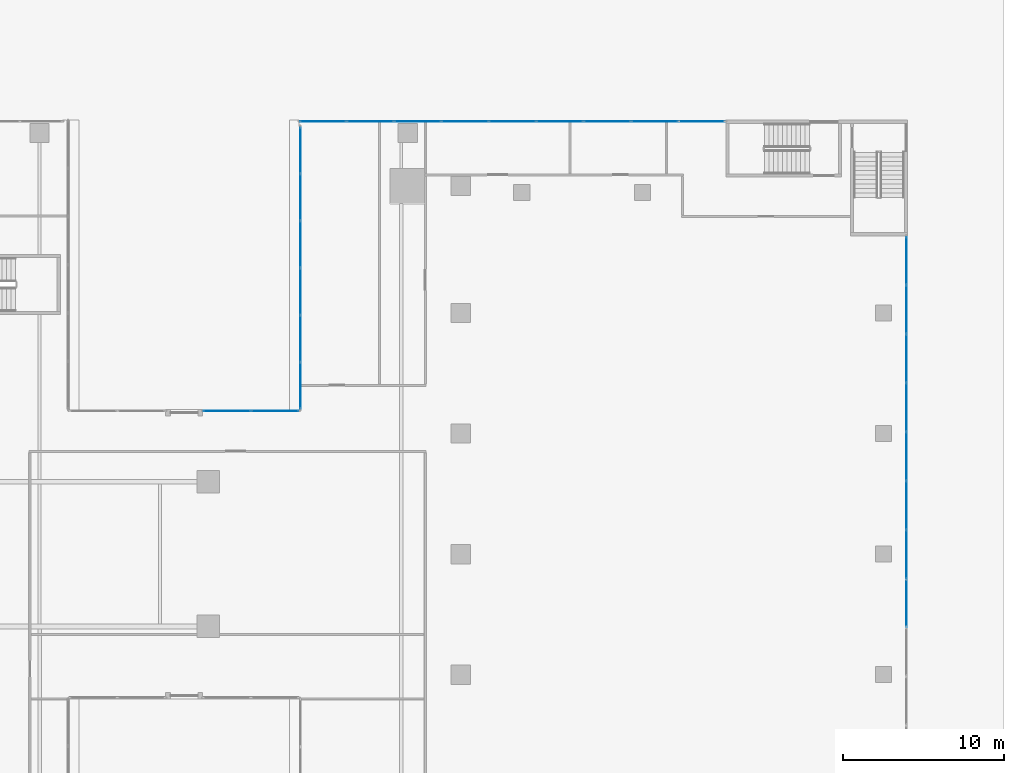
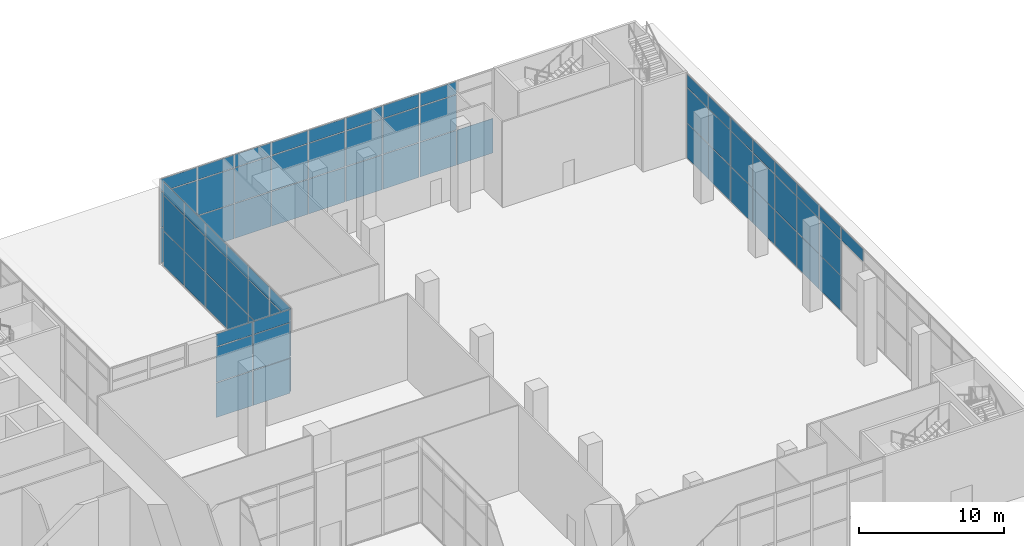
# One storey, part 35 of 52: 71 plates, 4 elements without a shape of their own.
"""IFC4 building model written with IfcOpenShell, lengths in metres."""

from ifc_helpers import new_model, si_unit, direction, frame, origin, origin_2d, place, context, subcontext, project, spatial, rectangle, extrude, source, transform, mapped, material, layer, layer_set, type_object, element, aggregate, save


model = new_model("IFC4")

# Units and contexts
model_context = context("Model", 3, precision=1e-05, world=origin(), true_north=direction((0.0, 1.0)))
body_context = subcontext(model_context, "Body", "Model", "MODEL_VIEW")
ifc_project = project(units=[si_unit("LENGTHUNIT", "METRE"), si_unit("AREAUNIT", "SQUARE_METRE"), si_unit("VOLUMEUNIT", "CUBIC_METRE"), si_unit("PLANEANGLEUNIT", "RADIAN"), si_unit("MASSUNIT", "GRAM", prefix="KILO")], contexts=[model_context])

# Site, building, storey
site_placement = place(None, origin())
site = spatial("IfcSite", under=ifc_project, at=site_placement, CompositionType="ELEMENT")
building_placement = place(site_placement, origin())
building = spatial("IfcBuilding", under=site, at=building_placement, Name="Khomas Fold Tower", CompositionType="ELEMENT")
storey_placement = place(building_placement, origin())
storey = spatial("IfcBuildingStorey", under=building, at=storey_placement, Name="L00", CompositionType="ELEMENT", Elevation=0.0)

# Curtain wall, plates
ifc_material_1 = material(Name="Aluminium framed double glazing", Category="aluminium")
curtain_wall_type = type_object("IfcCurtainWallType", Name="Shopfront glazing PD-CW", PredefinedType="NOTDEFINED", material=ifc_material_1)
curtain_wall_1_placement = place(storey_placement, origin())
curtain_wall_1 = element("IfcCurtainWall", 1, at=curtain_wall_1_placement, inside=storey, type_object=curtain_wall_type, Name="Podium shopfront run", PredefinedType="NOTDEFINED")
ifc_material_2 = material(Name="Double glazed unit")
ifc_layer = layer(ifc_material_2, 0.031982421875)
ifc_layer_set = layer_set([ifc_layer], Name="Double glazed unit")
plate_type = type_object("IfcPlateType", Name="Shopfront glazing panel PD-CW-P", PredefinedType="CURTAIN_PANEL", material=ifc_layer_set)
shared_shape_1 = source(origin(), body_context, "Body", "SweptSolid", [
    extrude(rectangle(XDim=2.84326171875, YDim=0.031982421875, at=origin_2d()), origin(), (0.0, 0.0, 1.0), 2.909912109375),
])
plate_1_placement = place(storey_placement, frame((43.22998046875, 52.118408203125, 0.06005859375), z_axis=(0.0, 0.0, 1.0), x_axis=(0.0, -1.0, 0.0)))
plate_1 = element("IfcPlate", 2, at=plate_1_placement, type_object=plate_type, Name="PD-CW panel 1.1", PredefinedType="CURTAIN_PANEL", context=body_context, shape_type="MappedRepresentation", body=[
    mapped(shared_shape_1, transform((0.0, 0.0, 0.0))),
])
plate_2_placement = place(storey_placement, frame((43.22998046875, 37.481689453125, 0.06005859375), z_axis=(0.0, 0.0, 1.0), x_axis=(0.0, -1.0, 0.0)))
plate_2 = element("IfcPlate", 3, at=plate_2_placement, type_object=plate_type, Name="PD-CW panel 6.1", PredefinedType="CURTAIN_PANEL", context=body_context, shape_type="MappedRepresentation", body=[
    mapped(shared_shape_1, transform((0.0, 0.0, 0.0))),
])
shared_shape_2 = source(origin(), body_context, "Body", "SweptSolid", [
    extrude(rectangle(XDim=2.84326171875, YDim=0.031982421875, at=origin_2d()), origin(), (0.0, 0.0, 1.0), 2.93994140625),
])
plate_3_placement = place(storey_placement, frame((43.22998046875, 52.118408203125, 3.030029296875), z_axis=(0.0, 0.0, 1.0), x_axis=(0.0, -1.0, 0.0)))
plate_3 = element("IfcPlate", 4, at=plate_3_placement, type_object=plate_type, Name="PD-CW panel 1.2", PredefinedType="CURTAIN_PANEL", context=body_context, shape_type="MappedRepresentation", body=[
    mapped(shared_shape_2, transform((0.0, 0.0, 0.0))),
])
plate_4_placement = place(storey_placement, frame((43.22998046875, 37.481689453125, 3.030029296875), z_axis=(0.0, 0.0, 1.0), x_axis=(0.0, -1.0, 0.0)))
plate_4 = element("IfcPlate", 5, at=plate_4_placement, type_object=plate_type, Name="PD-CW panel 6.2", PredefinedType="CURTAIN_PANEL", context=body_context, shape_type="MappedRepresentation", body=[
    mapped(shared_shape_2, transform((0.0, 0.0, 0.0))),
])
shared_shape_3 = source(origin(), body_context, "Body", "SweptSolid", [
    extrude(rectangle(XDim=2.84326171875, YDim=0.031982421875, at=origin_2d()), origin(), (0.0, 0.0, 1.0), 1.06005859375),
])
plate_5_placement = place(storey_placement, frame((43.22998046875, 52.118408203125, 6.030029296875), z_axis=(0.0, 0.0, 1.0), x_axis=(0.0, -1.0, 0.0)))
plate_5 = element("IfcPlate", 6, at=plate_5_placement, type_object=plate_type, Name="PD-CW panel 1.3", PredefinedType="CURTAIN_PANEL", context=body_context, shape_type="MappedRepresentation", body=[
    mapped(shared_shape_3, transform((0.0, 0.0, 0.0))),
])
plate_6_placement = place(storey_placement, frame((43.22998046875, 37.481689453125, 6.030029296875), z_axis=(0.0, 0.0, 1.0), x_axis=(0.0, -1.0, 0.0)))
plate_6 = element("IfcPlate", 7, at=plate_6_placement, type_object=plate_type, Name="PD-CW panel 6.3", PredefinedType="CURTAIN_PANEL", context=body_context, shape_type="MappedRepresentation", body=[
    mapped(shared_shape_3, transform((0.0, 0.0, 0.0))),
])
shared_shape_4 = source(origin(), body_context, "Body", "SweptSolid", [
    extrude(rectangle(XDim=2.873291015625, YDim=0.031982421875, at=origin_2d()), origin(), (0.0, 0.0, 1.0), 2.909912109375),
])
plate_7_placement = place(storey_placement, frame((43.22998046875, 49.199951171875, 0.06005859375), z_axis=(0.0, 0.0, 1.0), x_axis=(0.0, -1.0, 0.0)))
plate_7 = element("IfcPlate", 8, at=plate_7_placement, type_object=plate_type, Name="PD-CW panel 2.1", PredefinedType="CURTAIN_PANEL", context=body_context, shape_type="MappedRepresentation", body=[
    mapped(shared_shape_4, transform((0.0, 0.0, 0.0))),
])
plate_8_placement = place(storey_placement, frame((43.22998046875, 46.2666015625, 0.06005859375), z_axis=(0.0, 0.0, 1.0), x_axis=(0.0, -1.0, 0.0)))
plate_8 = element("IfcPlate", 9, at=plate_8_placement, type_object=plate_type, Name="PD-CW panel 3.1", PredefinedType="CURTAIN_PANEL", context=body_context, shape_type="MappedRepresentation", body=[
    mapped(shared_shape_4, transform((0.0, 0.0, 0.0))),
])
plate_9_placement = place(storey_placement, frame((43.22998046875, 43.333251953125, 0.06005859375), z_axis=(0.0, 0.0, 1.0), x_axis=(0.0, -1.0, 0.0)))
plate_9 = element("IfcPlate", 10, at=plate_9_placement, type_object=plate_type, Name="PD-CW panel 4.1", PredefinedType="CURTAIN_PANEL", context=body_context, shape_type="MappedRepresentation", body=[
    mapped(shared_shape_4, transform((0.0, 0.0, 0.0))),
])
plate_10_placement = place(storey_placement, frame((43.22998046875, 40.39990234375, 0.06005859375), z_axis=(0.0, 0.0, 1.0), x_axis=(0.0, -1.0, 0.0)))
plate_10 = element("IfcPlate", 11, at=plate_10_placement, type_object=plate_type, Name="PD-CW panel 5.1", PredefinedType="CURTAIN_PANEL", context=body_context, shape_type="MappedRepresentation", body=[
    mapped(shared_shape_4, transform((0.0, 0.0, 0.0))),
])
shared_shape_5 = source(origin(), body_context, "Body", "SweptSolid", [
    extrude(rectangle(XDim=2.873291015625, YDim=0.031982421875, at=origin_2d()), origin(), (0.0, 0.0, 1.0), 2.93994140625),
])
plate_11_placement = place(storey_placement, frame((43.22998046875, 49.199951171875, 3.030029296875), z_axis=(0.0, 0.0, 1.0), x_axis=(0.0, -1.0, 0.0)))
plate_11 = element("IfcPlate", 12, at=plate_11_placement, type_object=plate_type, Name="PD-CW panel 2.2", PredefinedType="CURTAIN_PANEL", context=body_context, shape_type="MappedRepresentation", body=[
    mapped(shared_shape_5, transform((0.0, 0.0, 0.0))),
])
plate_12_placement = place(storey_placement, frame((43.22998046875, 46.2666015625, 3.030029296875), z_axis=(0.0, 0.0, 1.0), x_axis=(0.0, -1.0, 0.0)))
plate_12 = element("IfcPlate", 13, at=plate_12_placement, type_object=plate_type, Name="PD-CW panel 3.2", PredefinedType="CURTAIN_PANEL", context=body_context, shape_type="MappedRepresentation", body=[
    mapped(shared_shape_5, transform((0.0, 0.0, 0.0))),
])
plate_13_placement = place(storey_placement, frame((43.22998046875, 43.333251953125, 3.030029296875), z_axis=(0.0, 0.0, 1.0), x_axis=(0.0, -1.0, 0.0)))
plate_13 = element("IfcPlate", 14, at=plate_13_placement, type_object=plate_type, Name="PD-CW panel 4.2", PredefinedType="CURTAIN_PANEL", context=body_context, shape_type="MappedRepresentation", body=[
    mapped(shared_shape_5, transform((0.0, 0.0, 0.0))),
])
plate_14_placement = place(storey_placement, frame((43.22998046875, 40.39990234375, 3.030029296875), z_axis=(0.0, 0.0, 1.0), x_axis=(0.0, -1.0, 0.0)))
plate_14 = element("IfcPlate", 15, at=plate_14_placement, type_object=plate_type, Name="PD-CW panel 5.2", PredefinedType="CURTAIN_PANEL", context=body_context, shape_type="MappedRepresentation", body=[
    mapped(shared_shape_5, transform((0.0, 0.0, 0.0))),
])
shared_shape_6 = source(origin(), body_context, "Body", "SweptSolid", [
    extrude(rectangle(XDim=2.873291015625, YDim=0.031982421875, at=origin_2d()), origin(), (0.0, 0.0, 1.0), 1.06005859375),
])
plate_15_placement = place(storey_placement, frame((43.22998046875, 49.199951171875, 6.030029296875), z_axis=(0.0, 0.0, 1.0), x_axis=(0.0, -1.0, 0.0)))
plate_15 = element("IfcPlate", 16, at=plate_15_placement, type_object=plate_type, Name="PD-CW panel 2.3", PredefinedType="CURTAIN_PANEL", context=body_context, shape_type="MappedRepresentation", body=[
    mapped(shared_shape_6, transform((0.0, 0.0, 0.0))),
])
plate_16_placement = place(storey_placement, frame((43.22998046875, 46.2666015625, 6.030029296875), z_axis=(0.0, 0.0, 1.0), x_axis=(0.0, -1.0, 0.0)))
plate_16 = element("IfcPlate", 17, at=plate_16_placement, type_object=plate_type, Name="PD-CW panel 3.3", PredefinedType="CURTAIN_PANEL", context=body_context, shape_type="MappedRepresentation", body=[
    mapped(shared_shape_6, transform((0.0, 0.0, 0.0))),
])
plate_17_placement = place(storey_placement, frame((43.22998046875, 43.333251953125, 6.030029296875), z_axis=(0.0, 0.0, 1.0), x_axis=(0.0, -1.0, 0.0)))
plate_17 = element("IfcPlate", 18, at=plate_17_placement, type_object=plate_type, Name="PD-CW panel 4.3", PredefinedType="CURTAIN_PANEL", context=body_context, shape_type="MappedRepresentation", body=[
    mapped(shared_shape_6, transform((0.0, 0.0, 0.0))),
])
plate_18_placement = place(storey_placement, frame((43.22998046875, 40.39990234375, 6.030029296875), z_axis=(0.0, 0.0, 1.0), x_axis=(0.0, -1.0, 0.0)))
plate_18 = element("IfcPlate", 19, at=plate_18_placement, type_object=plate_type, Name="PD-CW panel 5.3", PredefinedType="CURTAIN_PANEL", context=body_context, shape_type="MappedRepresentation", body=[
    mapped(shared_shape_6, transform((0.0, 0.0, 0.0))),
])
aggregate(curtain_wall_1, [plate_1, plate_3, plate_5, plate_7, plate_11, plate_15, plate_8, plate_12, plate_16, plate_9, plate_13, plate_17, plate_10, plate_14, plate_18, plate_2, plate_4, plate_6])

curtain_wall_2_placement = place(storey_placement, origin())
curtain_wall_2 = element("IfcCurtainWall", 20, at=curtain_wall_2_placement, inside=storey, type_object=curtain_wall_type, Name="Podium shopfront run", PredefinedType="NOTDEFINED")
shared_shape_7 = source(origin(), body_context, "Body", "SweptSolid", [
    extrude(rectangle(XDim=2.909912109375, YDim=0.031982421875, at=origin_2d()), origin(), (0.0, 0.0, 1.0), 2.909912109375),
])
plate_19_placement = place(storey_placement, frame((41.635009765625, 35.919921875, 0.06005859375), z_axis=(0.0, 0.0, 1.0), x_axis=(-1.0, 0.0, 0.0)))
plate_19 = element("IfcPlate", 21, at=plate_19_placement, type_object=plate_type, Name="PD-CW panel 1.1", PredefinedType="CURTAIN_PANEL", context=body_context, shape_type="MappedRepresentation", body=[
    mapped(shared_shape_7, transform((0.0, 0.0, 0.0))),
])
plate_20_placement = place(storey_placement, frame((38.6650390625, 35.919921875, 0.06005859375), z_axis=(0.0, 0.0, 1.0), x_axis=(-1.0, 0.0, 0.0)))
plate_20 = element("IfcPlate", 22, at=plate_20_placement, type_object=plate_type, Name="PD-CW panel 2.1", PredefinedType="CURTAIN_PANEL", context=body_context, shape_type="MappedRepresentation", body=[
    mapped(shared_shape_7, transform((0.0, 0.0, 0.0))),
])
shared_shape_8 = source(origin(), body_context, "Body", "SweptSolid", [
    extrude(rectangle(XDim=2.909912109375, YDim=0.031982421875, at=origin_2d()), origin(), (0.0, 0.0, 1.0), 2.93994140625),
])
plate_21_placement = place(storey_placement, frame((41.635009765625, 35.919921875, 3.030029296875), z_axis=(0.0, 0.0, 1.0), x_axis=(-1.0, 0.0, 0.0)))
plate_21 = element("IfcPlate", 23, at=plate_21_placement, type_object=plate_type, Name="PD-CW panel 1.2", PredefinedType="CURTAIN_PANEL", context=body_context, shape_type="MappedRepresentation", body=[
    mapped(shared_shape_8, transform((0.0, 0.0, 0.0))),
])
plate_22_placement = place(storey_placement, frame((38.6650390625, 35.919921875, 3.030029296875), z_axis=(0.0, 0.0, 1.0), x_axis=(-1.0, 0.0, 0.0)))
plate_22 = element("IfcPlate", 24, at=plate_22_placement, type_object=plate_type, Name="PD-CW panel 2.2", PredefinedType="CURTAIN_PANEL", context=body_context, shape_type="MappedRepresentation", body=[
    mapped(shared_shape_8, transform((0.0, 0.0, 0.0))),
])
shared_shape_9 = source(origin(), body_context, "Body", "SweptSolid", [
    extrude(rectangle(XDim=2.909912109375, YDim=0.031982421875, at=origin_2d()), origin(), (0.0, 0.0, 1.0), 1.06005859375),
])
plate_23_placement = place(storey_placement, frame((41.635009765625, 35.919921875, 6.030029296875), z_axis=(0.0, 0.0, 1.0), x_axis=(-1.0, 0.0, 0.0)))
plate_23 = element("IfcPlate", 25, at=plate_23_placement, type_object=plate_type, Name="PD-CW panel 1.3", PredefinedType="CURTAIN_PANEL", context=body_context, shape_type="MappedRepresentation", body=[
    mapped(shared_shape_9, transform((0.0, 0.0, 0.0))),
])
plate_24_placement = place(storey_placement, frame((38.6650390625, 35.919921875, 6.030029296875), z_axis=(0.0, 0.0, 1.0), x_axis=(-1.0, 0.0, 0.0)))
plate_24 = element("IfcPlate", 26, at=plate_24_placement, type_object=plate_type, Name="PD-CW panel 2.3", PredefinedType="CURTAIN_PANEL", context=body_context, shape_type="MappedRepresentation", body=[
    mapped(shared_shape_9, transform((0.0, 0.0, 0.0))),
])
aggregate(curtain_wall_2, [plate_19, plate_21, plate_23, plate_20, plate_22, plate_24])

curtain_wall_3_placement = place(storey_placement, origin())
curtain_wall_3 = element("IfcCurtainWall", 27, at=curtain_wall_3_placement, inside=storey, type_object=curtain_wall_type, Name="Podium shopfront run", PredefinedType="NOTDEFINED")
shared_shape_10 = source(origin(), body_context, "Body", "SweptSolid", [
    extrude(rectangle(XDim=2.95458984375, YDim=0.031982421875, at=origin_2d()), origin(), (0.0, 0.0, 1.0), 2.909912109375),
])
plate_25_placement = place(storey_placement, frame((80.919921875, 45.252685546875, 0.06005859375), z_axis=(0.0, 0.0, 1.0), x_axis=(0.0, 1.0, 0.0)))
plate_25 = element("IfcPlate", 28, at=plate_25_placement, type_object=plate_type, Name="PD-CW panel 13.1", PredefinedType="CURTAIN_PANEL", context=body_context, shape_type="MappedRepresentation", body=[
    mapped(shared_shape_10, transform((0.0, 0.0, 0.0))),
])
shared_shape_11 = source(origin(), body_context, "Body", "SweptSolid", [
    extrude(rectangle(XDim=2.95458984375, YDim=0.031982421875, at=origin_2d()), origin(), (0.0, 0.0, 1.0), 2.93994140625),
])
plate_26_placement = place(storey_placement, frame((80.919921875, 45.252685546875, 3.030029296875), z_axis=(0.0, 0.0, 1.0), x_axis=(0.0, 1.0, 0.0)))
plate_26 = element("IfcPlate", 29, at=plate_26_placement, type_object=plate_type, Name="PD-CW panel 13.2", PredefinedType="CURTAIN_PANEL", context=body_context, shape_type="MappedRepresentation", body=[
    mapped(shared_shape_11, transform((0.0, 0.0, 0.0))),
])
shared_shape_12 = source(origin(), body_context, "Body", "SweptSolid", [
    extrude(rectangle(XDim=2.95458984375, YDim=0.031982421875, at=origin_2d()), origin(), (0.0, 0.0, 1.0), 1.06005859375),
])
plate_27_placement = place(storey_placement, frame((80.919921875, 45.252685546875, 6.030029296875), z_axis=(0.0, 0.0, 1.0), x_axis=(0.0, 1.0, 0.0)))
plate_27 = element("IfcPlate", 30, at=plate_27_placement, type_object=plate_type, Name="PD-CW panel 13.3", PredefinedType="CURTAIN_PANEL", context=body_context, shape_type="MappedRepresentation", body=[
    mapped(shared_shape_12, transform((0.0, 0.0, 0.0))),
])
shared_shape_13 = source(origin(), body_context, "Body", "SweptSolid", [
    extrude(rectangle(XDim=2.984619140625, YDim=0.031982421875, at=origin_2d()), origin(), (0.0, 0.0, 1.0), 2.909912109375),
])
plate_28_placement = place(storey_placement, frame((80.919921875, 27.0, 0.06005859375), z_axis=(0.0, 0.0, 1.0), x_axis=(0.0, 1.0, 0.0)))
plate_28 = element("IfcPlate", 31, at=plate_28_placement, type_object=plate_type, Name="PD-CW panel 7.1", PredefinedType="CURTAIN_PANEL", context=body_context, shape_type="MappedRepresentation", body=[
    mapped(shared_shape_13, transform((0.0, 0.0, 0.0))),
])
plate_29_placement = place(storey_placement, frame((80.919921875, 30.044677734375, 0.06005859375), z_axis=(0.0, 0.0, 1.0), x_axis=(0.0, 1.0, 0.0)))
plate_29 = element("IfcPlate", 32, at=plate_29_placement, type_object=plate_type, Name="PD-CW panel 8.1", PredefinedType="CURTAIN_PANEL", context=body_context, shape_type="MappedRepresentation", body=[
    mapped(shared_shape_13, transform((0.0, 0.0, 0.0))),
])
plate_30_placement = place(storey_placement, frame((80.919921875, 33.089111328125, 0.06005859375), z_axis=(0.0, 0.0, 1.0), x_axis=(0.0, 1.0, 0.0)))
plate_30 = element("IfcPlate", 33, at=plate_30_placement, type_object=plate_type, Name="PD-CW panel 9.1", PredefinedType="CURTAIN_PANEL", context=body_context, shape_type="MappedRepresentation", body=[
    mapped(shared_shape_13, transform((0.0, 0.0, 0.0))),
])
plate_31_placement = place(storey_placement, frame((80.919921875, 36.1337890625, 0.06005859375), z_axis=(0.0, 0.0, 1.0), x_axis=(0.0, 1.0, 0.0)))
plate_31 = element("IfcPlate", 34, at=plate_31_placement, type_object=plate_type, Name="PD-CW panel 10.1", PredefinedType="CURTAIN_PANEL", context=body_context, shape_type="MappedRepresentation", body=[
    mapped(shared_shape_13, transform((0.0, 0.0, 0.0))),
])
plate_32_placement = place(storey_placement, frame((80.919921875, 39.178466796875, 0.06005859375), z_axis=(0.0, 0.0, 1.0), x_axis=(0.0, 1.0, 0.0)))
plate_32 = element("IfcPlate", 35, at=plate_32_placement, type_object=plate_type, Name="PD-CW panel 11.1", PredefinedType="CURTAIN_PANEL", context=body_context, shape_type="MappedRepresentation", body=[
    mapped(shared_shape_13, transform((0.0, 0.0, 0.0))),
])
plate_33_placement = place(storey_placement, frame((80.919921875, 42.22314453125, 0.06005859375), z_axis=(0.0, 0.0, 1.0), x_axis=(0.0, 1.0, 0.0)))
plate_33 = element("IfcPlate", 36, at=plate_33_placement, type_object=plate_type, Name="PD-CW panel 12.1", PredefinedType="CURTAIN_PANEL", context=body_context, shape_type="MappedRepresentation", body=[
    mapped(shared_shape_13, transform((0.0, 0.0, 0.0))),
])
shared_shape_14 = source(origin(), body_context, "Body", "SweptSolid", [
    extrude(rectangle(XDim=2.984619140625, YDim=0.031982421875, at=origin_2d()), origin(), (0.0, 0.0, 1.0), 2.93994140625),
])
plate_34_placement = place(storey_placement, frame((80.919921875, 27.0, 3.030029296875), z_axis=(0.0, 0.0, 1.0), x_axis=(0.0, 1.0, 0.0)))
plate_34 = element("IfcPlate", 37, at=plate_34_placement, type_object=plate_type, Name="PD-CW panel 7.2", PredefinedType="CURTAIN_PANEL", context=body_context, shape_type="MappedRepresentation", body=[
    mapped(shared_shape_14, transform((0.0, 0.0, 0.0))),
])
plate_35_placement = place(storey_placement, frame((80.919921875, 30.044677734375, 3.030029296875), z_axis=(0.0, 0.0, 1.0), x_axis=(0.0, 1.0, 0.0)))
plate_35 = element("IfcPlate", 38, at=plate_35_placement, type_object=plate_type, Name="PD-CW panel 8.2", PredefinedType="CURTAIN_PANEL", context=body_context, shape_type="MappedRepresentation", body=[
    mapped(shared_shape_14, transform((0.0, 0.0, 0.0))),
])
plate_36_placement = place(storey_placement, frame((80.919921875, 33.089111328125, 3.030029296875), z_axis=(0.0, 0.0, 1.0), x_axis=(0.0, 1.0, 0.0)))
plate_36 = element("IfcPlate", 39, at=plate_36_placement, type_object=plate_type, Name="PD-CW panel 9.2", PredefinedType="CURTAIN_PANEL", context=body_context, shape_type="MappedRepresentation", body=[
    mapped(shared_shape_14, transform((0.0, 0.0, 0.0))),
])
plate_37_placement = place(storey_placement, frame((80.919921875, 36.1337890625, 3.030029296875), z_axis=(0.0, 0.0, 1.0), x_axis=(0.0, 1.0, 0.0)))
plate_37 = element("IfcPlate", 40, at=plate_37_placement, type_object=plate_type, Name="PD-CW panel 10.2", PredefinedType="CURTAIN_PANEL", context=body_context, shape_type="MappedRepresentation", body=[
    mapped(shared_shape_14, transform((0.0, 0.0, 0.0))),
])
plate_38_placement = place(storey_placement, frame((80.919921875, 39.178466796875, 3.030029296875), z_axis=(0.0, 0.0, 1.0), x_axis=(0.0, 1.0, 0.0)))
plate_38 = element("IfcPlate", 41, at=plate_38_placement, type_object=plate_type, Name="PD-CW panel 11.2", PredefinedType="CURTAIN_PANEL", context=body_context, shape_type="MappedRepresentation", body=[
    mapped(shared_shape_14, transform((0.0, 0.0, 0.0))),
])
plate_39_placement = place(storey_placement, frame((80.919921875, 42.22314453125, 3.030029296875), z_axis=(0.0, 0.0, 1.0), x_axis=(0.0, 1.0, 0.0)))
plate_39 = element("IfcPlate", 42, at=plate_39_placement, type_object=plate_type, Name="PD-CW panel 12.2", PredefinedType="CURTAIN_PANEL", context=body_context, shape_type="MappedRepresentation", body=[
    mapped(shared_shape_14, transform((0.0, 0.0, 0.0))),
])
shared_shape_15 = source(origin(), body_context, "Body", "SweptSolid", [
    extrude(rectangle(XDim=2.984619140625, YDim=0.031982421875, at=origin_2d()), origin(), (0.0, 0.0, 1.0), 1.06005859375),
])
plate_40_placement = place(storey_placement, frame((80.919921875, 23.955322265625, 6.030029296875), z_axis=(0.0, 0.0, 1.0), x_axis=(0.0, 1.0, 0.0)))
plate_40 = element("IfcPlate", 43, at=plate_40_placement, type_object=plate_type, Name="PD-CW panel 6.3", PredefinedType="CURTAIN_PANEL", context=body_context, shape_type="MappedRepresentation", body=[
    mapped(shared_shape_15, transform((0.0, 0.0, 0.0))),
])
plate_41_placement = place(storey_placement, frame((80.919921875, 27.0, 6.030029296875), z_axis=(0.0, 0.0, 1.0), x_axis=(0.0, 1.0, 0.0)))
plate_41 = element("IfcPlate", 44, at=plate_41_placement, type_object=plate_type, Name="PD-CW panel 7.3", PredefinedType="CURTAIN_PANEL", context=body_context, shape_type="MappedRepresentation", body=[
    mapped(shared_shape_15, transform((0.0, 0.0, 0.0))),
])
plate_42_placement = place(storey_placement, frame((80.919921875, 30.044677734375, 6.030029296875), z_axis=(0.0, 0.0, 1.0), x_axis=(0.0, 1.0, 0.0)))
plate_42 = element("IfcPlate", 45, at=plate_42_placement, type_object=plate_type, Name="PD-CW panel 8.3", PredefinedType="CURTAIN_PANEL", context=body_context, shape_type="MappedRepresentation", body=[
    mapped(shared_shape_15, transform((0.0, 0.0, 0.0))),
])
plate_43_placement = place(storey_placement, frame((80.919921875, 33.089111328125, 6.030029296875), z_axis=(0.0, 0.0, 1.0), x_axis=(0.0, 1.0, 0.0)))
plate_43 = element("IfcPlate", 46, at=plate_43_placement, type_object=plate_type, Name="PD-CW panel 9.3", PredefinedType="CURTAIN_PANEL", context=body_context, shape_type="MappedRepresentation", body=[
    mapped(shared_shape_15, transform((0.0, 0.0, 0.0))),
])
plate_44_placement = place(storey_placement, frame((80.919921875, 36.1337890625, 6.030029296875), z_axis=(0.0, 0.0, 1.0), x_axis=(0.0, 1.0, 0.0)))
plate_44 = element("IfcPlate", 47, at=plate_44_placement, type_object=plate_type, Name="PD-CW panel 10.3", PredefinedType="CURTAIN_PANEL", context=body_context, shape_type="MappedRepresentation", body=[
    mapped(shared_shape_15, transform((0.0, 0.0, 0.0))),
])
plate_45_placement = place(storey_placement, frame((80.919921875, 39.178466796875, 6.030029296875), z_axis=(0.0, 0.0, 1.0), x_axis=(0.0, 1.0, 0.0)))
plate_45 = element("IfcPlate", 48, at=plate_45_placement, type_object=plate_type, Name="PD-CW panel 11.3", PredefinedType="CURTAIN_PANEL", context=body_context, shape_type="MappedRepresentation", body=[
    mapped(shared_shape_15, transform((0.0, 0.0, 0.0))),
])
plate_46_placement = place(storey_placement, frame((80.919921875, 42.22314453125, 6.030029296875), z_axis=(0.0, 0.0, 1.0), x_axis=(0.0, 1.0, 0.0)))
plate_46 = element("IfcPlate", 49, at=plate_46_placement, type_object=plate_type, Name="PD-CW panel 12.3", PredefinedType="CURTAIN_PANEL", context=body_context, shape_type="MappedRepresentation", body=[
    mapped(shared_shape_15, transform((0.0, 0.0, 0.0))),
])
aggregate(curtain_wall_3, [plate_40, plate_28, plate_34, plate_41, plate_29, plate_35, plate_42, plate_30, plate_36, plate_43, plate_31, plate_37, plate_44, plate_32, plate_38, plate_45, plate_33, plate_39, plate_46, plate_25, plate_26, plate_27])

curtain_wall_4_placement = place(storey_placement, origin())
curtain_wall_4 = element("IfcCurtainWall", 50, at=curtain_wall_4_placement, inside=storey, type_object=curtain_wall_type, Name="Podium shopfront run", PredefinedType="NOTDEFINED")
shared_shape_16 = source(origin(), body_context, "Body", "SweptSolid", [
    extrude(rectangle(XDim=2.85888671875, YDim=0.031982421875, at=origin_2d()), origin(), (0.0, 0.0, 1.0), 2.909912109375),
])
plate_47_placement = place(storey_placement, frame((68.200439453125, 53.919921875, 0.06005859375), z_axis=(0.0, 0.0, 1.0), x_axis=(-1.0, 0.0, 0.0)))
plate_47 = element("IfcPlate", 51, at=plate_47_placement, type_object=plate_type, Name="PD-CW panel 1.1", PredefinedType="CURTAIN_PANEL", context=body_context, shape_type="MappedRepresentation", body=[
    mapped(shared_shape_16, transform((0.0, 0.0, 0.0))),
])
plate_48_placement = place(storey_placement, frame((44.639404296875, 53.919921875, 0.06005859375), z_axis=(0.0, 0.0, 1.0), x_axis=(-1.0, 0.0, 0.0)))
plate_48 = element("IfcPlate", 52, at=plate_48_placement, type_object=plate_type, Name="PD-CW panel 9.1", PredefinedType="CURTAIN_PANEL", context=body_context, shape_type="MappedRepresentation", body=[
    mapped(shared_shape_16, transform((0.0, 0.0, 0.0))),
])
shared_shape_17 = source(origin(), body_context, "Body", "SweptSolid", [
    extrude(rectangle(XDim=2.85888671875, YDim=0.031982421875, at=origin_2d()), origin(), (0.0, 0.0, 1.0), 2.93994140625),
])
plate_49_placement = place(storey_placement, frame((44.639404296875, 53.919921875, 3.030029296875), z_axis=(0.0, 0.0, 1.0), x_axis=(-1.0, 0.0, 0.0)))
plate_49 = element("IfcPlate", 53, at=plate_49_placement, type_object=plate_type, Name="PD-CW panel 9.2", PredefinedType="CURTAIN_PANEL", context=body_context, shape_type="MappedRepresentation", body=[
    mapped(shared_shape_17, transform((0.0, 0.0, 0.0))),
])
shared_shape_18 = source(origin(), body_context, "Body", "SweptSolid", [
    extrude(rectangle(XDim=2.85888671875, YDim=0.031982421875, at=origin_2d()), origin(), (0.0, 0.0, 1.0), 1.06005859375),
])
plate_50_placement = place(storey_placement, frame((44.639404296875, 53.919921875, 6.030029296875), z_axis=(0.0, 0.0, 1.0), x_axis=(-1.0, 0.0, 0.0)))
plate_50 = element("IfcPlate", 54, at=plate_50_placement, type_object=plate_type, Name="PD-CW panel 9.3", PredefinedType="CURTAIN_PANEL", context=body_context, shape_type="MappedRepresentation", body=[
    mapped(shared_shape_18, transform((0.0, 0.0, 0.0))),
])
shared_shape_19 = source(origin(), body_context, "Body", "SweptSolid", [
    extrude(rectangle(XDim=2.888916015625, YDim=0.031982421875, at=origin_2d()), origin(), (0.0, 0.0, 1.0), 2.909912109375),
])
plate_51_placement = place(storey_placement, frame((65.2666015625, 53.919921875, 0.06005859375), z_axis=(0.0, 0.0, 1.0), x_axis=(-1.0, 0.0, 0.0)))
plate_51 = element("IfcPlate", 55, at=plate_51_placement, type_object=plate_type, Name="PD-CW panel 2.1", PredefinedType="CURTAIN_PANEL", context=body_context, shape_type="MappedRepresentation", body=[
    mapped(shared_shape_19, transform((0.0, 0.0, 0.0))),
])
plate_52_placement = place(storey_placement, frame((62.31787109375, 53.919921875, 0.06005859375), z_axis=(0.0, 0.0, 1.0), x_axis=(-1.0, 0.0, 0.0)))
plate_52 = element("IfcPlate", 56, at=plate_52_placement, type_object=plate_type, Name="PD-CW panel 3.1", PredefinedType="CURTAIN_PANEL", context=body_context, shape_type="MappedRepresentation", body=[
    mapped(shared_shape_19, transform((0.0, 0.0, 0.0))),
])
plate_53_placement = place(storey_placement, frame((59.368896484375, 53.919921875, 0.06005859375), z_axis=(0.0, 0.0, 1.0), x_axis=(-1.0, 0.0, 0.0)))
plate_53 = element("IfcPlate", 57, at=plate_53_placement, type_object=plate_type, Name="PD-CW panel 4.1", PredefinedType="CURTAIN_PANEL", context=body_context, shape_type="MappedRepresentation", body=[
    mapped(shared_shape_19, transform((0.0, 0.0, 0.0))),
])
plate_54_placement = place(storey_placement, frame((56.419921875, 53.919921875, 0.06005859375), z_axis=(0.0, 0.0, 1.0), x_axis=(-1.0, 0.0, 0.0)))
plate_54 = element("IfcPlate", 58, at=plate_54_placement, type_object=plate_type, Name="PD-CW panel 5.1", PredefinedType="CURTAIN_PANEL", context=body_context, shape_type="MappedRepresentation", body=[
    mapped(shared_shape_19, transform((0.0, 0.0, 0.0))),
])
plate_55_placement = place(storey_placement, frame((53.47119140625, 53.919921875, 0.06005859375), z_axis=(0.0, 0.0, 1.0), x_axis=(-1.0, 0.0, 0.0)))
plate_55 = element("IfcPlate", 59, at=plate_55_placement, type_object=plate_type, Name="PD-CW panel 6.1", PredefinedType="CURTAIN_PANEL", context=body_context, shape_type="MappedRepresentation", body=[
    mapped(shared_shape_19, transform((0.0, 0.0, 0.0))),
])
plate_56_placement = place(storey_placement, frame((50.522216796875, 53.919921875, 0.06005859375), z_axis=(0.0, 0.0, 1.0), x_axis=(-1.0, 0.0, 0.0)))
plate_56 = element("IfcPlate", 60, at=plate_56_placement, type_object=plate_type, Name="PD-CW panel 7.1", PredefinedType="CURTAIN_PANEL", context=body_context, shape_type="MappedRepresentation", body=[
    mapped(shared_shape_19, transform((0.0, 0.0, 0.0))),
])
plate_57_placement = place(storey_placement, frame((47.5732421875, 53.919921875, 0.06005859375), z_axis=(0.0, 0.0, 1.0), x_axis=(-1.0, 0.0, 0.0)))
plate_57 = element("IfcPlate", 61, at=plate_57_placement, type_object=plate_type, Name="PD-CW panel 8.1", PredefinedType="CURTAIN_PANEL", context=body_context, shape_type="MappedRepresentation", body=[
    mapped(shared_shape_19, transform((0.0, 0.0, 0.0))),
])
shared_shape_20 = source(origin(), body_context, "Body", "SweptSolid", [
    extrude(rectangle(XDim=2.888916015625, YDim=0.031982421875, at=origin_2d()), origin(), (0.0, 0.0, 1.0), 2.93994140625),
])
plate_58_placement = place(storey_placement, frame((65.2666015625, 53.919921875, 3.030029296875), z_axis=(0.0, 0.0, 1.0), x_axis=(-1.0, 0.0, 0.0)))
plate_58 = element("IfcPlate", 62, at=plate_58_placement, type_object=plate_type, Name="PD-CW panel 2.2", PredefinedType="CURTAIN_PANEL", context=body_context, shape_type="MappedRepresentation", body=[
    mapped(shared_shape_20, transform((0.0, 0.0, 0.0))),
])
plate_59_placement = place(storey_placement, frame((62.31787109375, 53.919921875, 3.030029296875), z_axis=(0.0, 0.0, 1.0), x_axis=(-1.0, 0.0, 0.0)))
plate_59 = element("IfcPlate", 63, at=plate_59_placement, type_object=plate_type, Name="PD-CW panel 3.2", PredefinedType="CURTAIN_PANEL", context=body_context, shape_type="MappedRepresentation", body=[
    mapped(shared_shape_20, transform((0.0, 0.0, 0.0))),
])
plate_60_placement = place(storey_placement, frame((59.368896484375, 53.919921875, 3.030029296875), z_axis=(0.0, 0.0, 1.0), x_axis=(-1.0, 0.0, 0.0)))
plate_60 = element("IfcPlate", 64, at=plate_60_placement, type_object=plate_type, Name="PD-CW panel 4.2", PredefinedType="CURTAIN_PANEL", context=body_context, shape_type="MappedRepresentation", body=[
    mapped(shared_shape_20, transform((0.0, 0.0, 0.0))),
])
plate_61_placement = place(storey_placement, frame((56.419921875, 53.919921875, 3.030029296875), z_axis=(0.0, 0.0, 1.0), x_axis=(-1.0, 0.0, 0.0)))
plate_61 = element("IfcPlate", 65, at=plate_61_placement, type_object=plate_type, Name="PD-CW panel 5.2", PredefinedType="CURTAIN_PANEL", context=body_context, shape_type="MappedRepresentation", body=[
    mapped(shared_shape_20, transform((0.0, 0.0, 0.0))),
])
plate_62_placement = place(storey_placement, frame((53.47119140625, 53.919921875, 3.030029296875), z_axis=(0.0, 0.0, 1.0), x_axis=(-1.0, 0.0, 0.0)))
plate_62 = element("IfcPlate", 66, at=plate_62_placement, type_object=plate_type, Name="PD-CW panel 6.2", PredefinedType="CURTAIN_PANEL", context=body_context, shape_type="MappedRepresentation", body=[
    mapped(shared_shape_20, transform((0.0, 0.0, 0.0))),
])
plate_63_placement = place(storey_placement, frame((50.522216796875, 53.919921875, 3.030029296875), z_axis=(0.0, 0.0, 1.0), x_axis=(-1.0, 0.0, 0.0)))
plate_63 = element("IfcPlate", 67, at=plate_63_placement, type_object=plate_type, Name="PD-CW panel 7.2", PredefinedType="CURTAIN_PANEL", context=body_context, shape_type="MappedRepresentation", body=[
    mapped(shared_shape_20, transform((0.0, 0.0, 0.0))),
])
plate_64_placement = place(storey_placement, frame((47.5732421875, 53.919921875, 3.030029296875), z_axis=(0.0, 0.0, 1.0), x_axis=(-1.0, 0.0, 0.0)))
plate_64 = element("IfcPlate", 68, at=plate_64_placement, type_object=plate_type, Name="PD-CW panel 8.2", PredefinedType="CURTAIN_PANEL", context=body_context, shape_type="MappedRepresentation", body=[
    mapped(shared_shape_20, transform((0.0, 0.0, 0.0))),
])
shared_shape_21 = source(origin(), body_context, "Body", "SweptSolid", [
    extrude(rectangle(XDim=2.888916015625, YDim=0.031982421875, at=origin_2d()), origin(), (0.0, 0.0, 1.0), 1.06005859375),
])
plate_65_placement = place(storey_placement, frame((65.2666015625, 53.919921875, 6.030029296875), z_axis=(0.0, 0.0, 1.0), x_axis=(-1.0, 0.0, 0.0)))
plate_65 = element("IfcPlate", 69, at=plate_65_placement, type_object=plate_type, Name="PD-CW panel 2.3", PredefinedType="CURTAIN_PANEL", context=body_context, shape_type="MappedRepresentation", body=[
    mapped(shared_shape_21, transform((0.0, 0.0, 0.0))),
])
plate_66_placement = place(storey_placement, frame((62.31787109375, 53.919921875, 6.030029296875), z_axis=(0.0, 0.0, 1.0), x_axis=(-1.0, 0.0, 0.0)))
plate_66 = element("IfcPlate", 70, at=plate_66_placement, type_object=plate_type, Name="PD-CW panel 3.3", PredefinedType="CURTAIN_PANEL", context=body_context, shape_type="MappedRepresentation", body=[
    mapped(shared_shape_21, transform((0.0, 0.0, 0.0))),
])
plate_67_placement = place(storey_placement, frame((59.368896484375, 53.919921875, 6.030029296875), z_axis=(0.0, 0.0, 1.0), x_axis=(-1.0, 0.0, 0.0)))
plate_67 = element("IfcPlate", 71, at=plate_67_placement, type_object=plate_type, Name="PD-CW panel 4.3", PredefinedType="CURTAIN_PANEL", context=body_context, shape_type="MappedRepresentation", body=[
    mapped(shared_shape_21, transform((0.0, 0.0, 0.0))),
])
plate_68_placement = place(storey_placement, frame((56.419921875, 53.919921875, 6.030029296875), z_axis=(0.0, 0.0, 1.0), x_axis=(-1.0, 0.0, 0.0)))
plate_68 = element("IfcPlate", 72, at=plate_68_placement, type_object=plate_type, Name="PD-CW panel 5.3", PredefinedType="CURTAIN_PANEL", context=body_context, shape_type="MappedRepresentation", body=[
    mapped(shared_shape_21, transform((0.0, 0.0, 0.0))),
])
plate_69_placement = place(storey_placement, frame((53.47119140625, 53.919921875, 6.030029296875), z_axis=(0.0, 0.0, 1.0), x_axis=(-1.0, 0.0, 0.0)))
plate_69 = element("IfcPlate", 73, at=plate_69_placement, type_object=plate_type, Name="PD-CW panel 6.3", PredefinedType="CURTAIN_PANEL", context=body_context, shape_type="MappedRepresentation", body=[
    mapped(shared_shape_21, transform((0.0, 0.0, 0.0))),
])
plate_70_placement = place(storey_placement, frame((50.522216796875, 53.919921875, 6.030029296875), z_axis=(0.0, 0.0, 1.0), x_axis=(-1.0, 0.0, 0.0)))
plate_70 = element("IfcPlate", 74, at=plate_70_placement, type_object=plate_type, Name="PD-CW panel 7.3", PredefinedType="CURTAIN_PANEL", context=body_context, shape_type="MappedRepresentation", body=[
    mapped(shared_shape_21, transform((0.0, 0.0, 0.0))),
])
plate_71_placement = place(storey_placement, frame((47.5732421875, 53.919921875, 6.030029296875), z_axis=(0.0, 0.0, 1.0), x_axis=(-1.0, 0.0, 0.0)))
plate_71 = element("IfcPlate", 75, at=plate_71_placement, type_object=plate_type, Name="PD-CW panel 8.3", PredefinedType="CURTAIN_PANEL", context=body_context, shape_type="MappedRepresentation", body=[
    mapped(shared_shape_21, transform((0.0, 0.0, 0.0))),
])
aggregate(curtain_wall_4, [plate_47, plate_51, plate_58, plate_65, plate_52, plate_59, plate_66, plate_53, plate_60, plate_67, plate_54, plate_61, plate_68, plate_55, plate_62, plate_69, plate_56, plate_63, plate_70, plate_57, plate_64, plate_71, plate_48, plate_49, plate_50])

save(model, "model.ifc")
